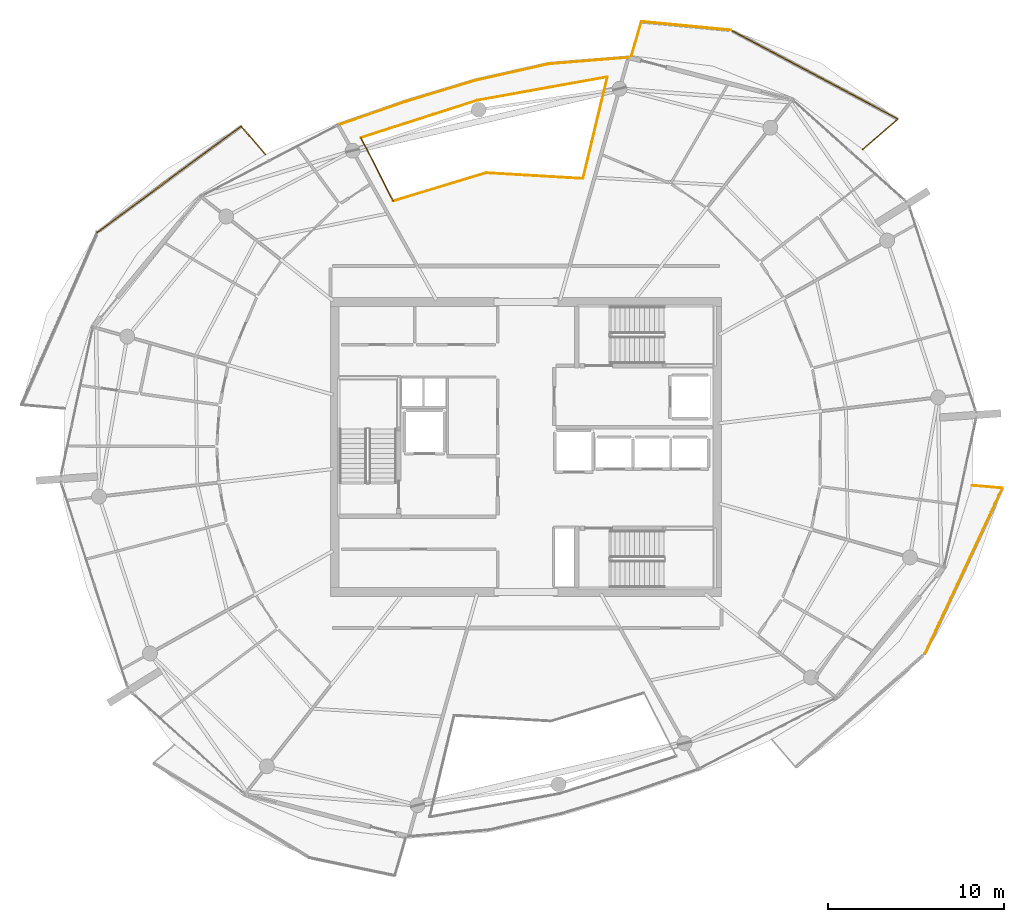
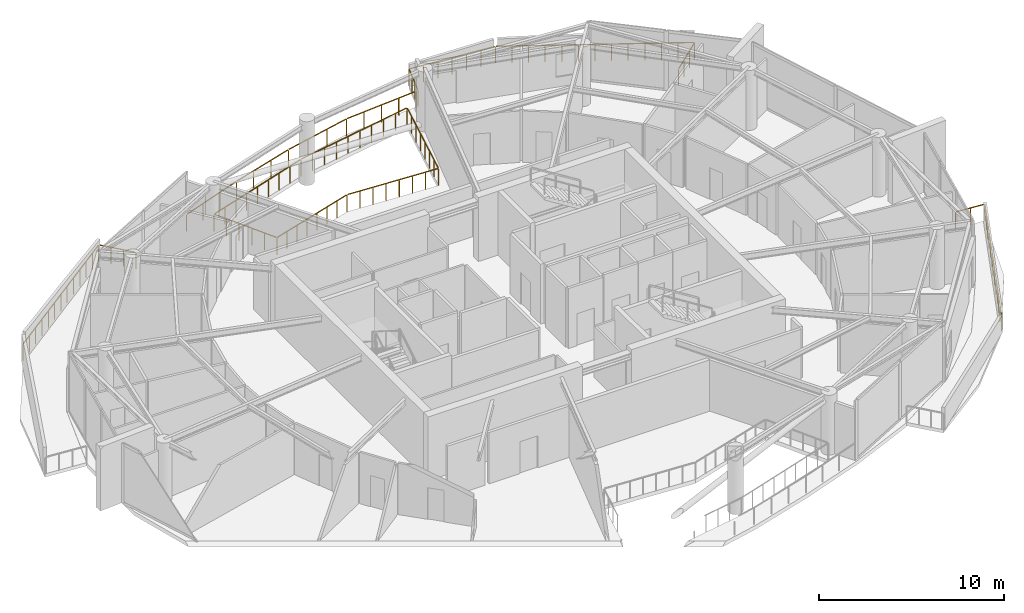
# One storey, part 22 of 22: 15 railings.
"""IFC4 building model written with IfcOpenShell, lengths in metres."""

from ifc_helpers import new_model, si_unit, direction, frame, origin, origin_2d, place, context, subcontext, project, spatial, rectangle, extrude, material, type_object, element, save


model = new_model("IFC4")

# Units and contexts
model_context = context("Model", 3, precision=1e-05, world=origin(), true_north=direction((0.0, 1.0)))
body_context = subcontext(model_context, "Body", "Model", "MODEL_VIEW")
ifc_project = project(units=[si_unit("LENGTHUNIT", "METRE"), si_unit("AREAUNIT", "SQUARE_METRE"), si_unit("VOLUMEUNIT", "CUBIC_METRE"), si_unit("PLANEANGLEUNIT", "RADIAN"), si_unit("MASSUNIT", "GRAM", prefix="KILO")], contexts=[model_context])

# Site, building, storey
site_placement = place(None, origin())
site = spatial("IfcSite", under=ifc_project, at=site_placement, CompositionType="ELEMENT")
building_placement = place(site_placement, origin())
building = spatial("IfcBuilding", under=site, at=building_placement, Name="Kazma Halo Residences", CompositionType="ELEMENT")
storey_placement = place(building_placement, frame((0.0, 0.0, 326.300048828125)))
storey = spatial("IfcBuildingStorey", under=building, at=storey_placement, Name="L82", CompositionType="ELEMENT", Elevation=326.300048828125)

# Railings
ifc_material_1 = material(Name="Aluminium AW-6063 T6 Brushed Cap Rail", Category="aluminium")
railing_type_1 = type_object("IfcRailingType", Name="RLG-BAL-CAP-1120", PredefinedType="BALUSTRADE", material=ifc_material_1)
railing_1_placement = place(storey_placement, frame((67.578369140625, 58.929443359375, 0.0)))
element("IfcRailing", 1, at=railing_1_placement, inside=storey, type_object=railing_type_1, Name="L82 NE wave balcony guard 1", PredefinedType="BALUSTRADE", context=body_context, shape_type="SweptSolid", body=[
    extrude(rectangle(XDim=0.050048828125, YDim=0.050048828125, at=origin_2d()), frame((0.0322265625, 0.02783203125, 1.09521484375), z_axis=(0.75640030808, 0.654108992399, 0.0), x_axis=(-0.654108992399, 0.75640030808, 0.0)), (0.0, 0.0, 1.0), 2.55224609375),
    extrude(rectangle(XDim=0.0400390625, YDim=0.0400390625, at=origin_2d()), origin(), (0.0, 0.0, 1.0), 1.05810546875),
    extrude(rectangle(XDim=0.0400390625, YDim=0.0400390625, at=origin_2d()), frame((0.6650390625, 0.574951171875, 0.0)), (0.0, 0.0, 1.0), 1.05810546875),
    extrude(rectangle(XDim=0.0400390625, YDim=0.0400390625, at=origin_2d()), frame((1.329833984375, 1.150146484375, 0.0)), (0.0, 0.0, 1.0), 1.05810546875),
    extrude(rectangle(XDim=0.0400390625, YDim=0.0400390625, at=origin_2d()), frame((1.994873046875, 1.72509765625, 0.0)), (0.0, 0.0, 1.0), 1.05810546875),
])
railing_2_placement = place(storey_placement, frame((69.5732421875, 60.654541015625, 0.0)))
element("IfcRailing", 2, at=railing_2_placement, inside=storey, type_object=railing_type_1, Name="L82 NE wave balcony guard 2", PredefinedType="BALUSTRADE", context=body_context, shape_type="SweptSolid", body=[
    extrude(rectangle(XDim=0.050048828125, YDim=0.050048828125, at=origin_2d()), frame((-0.03759765625, 0.02001953125, 1.09521484375), z_axis=(-0.882559597767, 0.470200549116, 0.0), x_axis=(-0.470200549116, -0.882559597767, 0.0)), (0.0, 0.0, 1.0), 10.669677734375),
    extrude(rectangle(XDim=0.0400390625, YDim=0.0400390625, at=origin_2d()), origin(), (0.0, 0.0, 1.0), 1.05810546875),
    extrude(rectangle(XDim=0.0400390625, YDim=0.0400390625, at=origin_2d()), frame((-0.791015625, 0.42138671875, 0.0)), (0.0, 0.0, 1.0), 1.05810546875),
    extrude(rectangle(XDim=0.0400390625, YDim=0.0400390625, at=origin_2d()), frame((-1.58203125, 0.8427734375, 0.0)), (0.0, 0.0, 1.0), 1.05810546875),
    extrude(rectangle(XDim=0.0400390625, YDim=0.0400390625, at=origin_2d()), frame((-2.373046875, 1.26416015625, 0.0)), (0.0, 0.0, 1.0), 1.05810546875),
    extrude(rectangle(XDim=0.0400390625, YDim=0.0400390625, at=origin_2d()), frame((-3.163818359375, 1.685546875, 0.0)), (0.0, 0.0, 1.0), 1.05810546875),
    extrude(rectangle(XDim=0.0400390625, YDim=0.0400390625, at=origin_2d()), frame((-3.954833984375, 2.10693359375, 0.0)), (0.0, 0.0, 1.0), 1.05810546875),
    extrude(rectangle(XDim=0.0400390625, YDim=0.0400390625, at=origin_2d()), frame((-4.745849609375, 2.5283203125, 0.0)), (0.0, 0.0, 1.0), 1.05810546875),
    extrude(rectangle(XDim=0.0400390625, YDim=0.0400390625, at=origin_2d()), frame((-5.536865234375, 2.949951171875, 0.0)), (0.0, 0.0, 1.0), 1.05810546875),
    extrude(rectangle(XDim=0.0400390625, YDim=0.0400390625, at=origin_2d()), frame((-6.327880859375, 3.371337890625, 0.0)), (0.0, 0.0, 1.0), 1.05810546875),
    extrude(rectangle(XDim=0.0400390625, YDim=0.0400390625, at=origin_2d()), frame((-7.11865234375, 3.792724609375, 0.0)), (0.0, 0.0, 1.0), 1.05810546875),
    extrude(rectangle(XDim=0.0400390625, YDim=0.0400390625, at=origin_2d()), frame((-7.90966796875, 4.214111328125, 0.0)), (0.0, 0.0, 1.0), 1.05810546875),
    extrude(rectangle(XDim=0.0400390625, YDim=0.0400390625, at=origin_2d()), frame((-8.70068359375, 4.635498046875, 0.0)), (0.0, 0.0, 1.0), 1.05810546875),
    extrude(rectangle(XDim=0.0400390625, YDim=0.0400390625, at=origin_2d()), frame((-9.49169921875, 5.056884765625, 0.0)), (0.0, 0.0, 1.0), 1.05810546875),
])
railing_3_placement = place(storey_placement, frame((60.08154296875, 65.71142578125, 0.0)))
element("IfcRailing", 3, at=railing_3_placement, inside=storey, type_object=railing_type_1, Name="L82 NE wave balcony guard 3", PredefinedType="BALUSTRADE", context=body_context, shape_type="SweptSolid", body=[
    extrude(rectangle(XDim=0.050048828125, YDim=0.050048828125, at=origin_2d()), frame((-0.042236328125, 0.00390625, 1.09521484375), z_axis=(-0.995511529445, 0.094640344155, 0.0), x_axis=(-0.094640344155, -0.995511529445, 0.0)), (0.0, 0.0, 1.0), 5.03564453125),
    extrude(rectangle(XDim=0.0400390625, YDim=0.0400390625, at=origin_2d()), origin(), (0.0, 0.0, 1.0), 1.05810546875),
    extrude(rectangle(XDim=0.0400390625, YDim=0.0400390625, at=origin_2d()), frame((-0.849609375, 0.080810546875, 0.0)), (0.0, 0.0, 1.0), 1.05810546875),
    extrude(rectangle(XDim=0.0400390625, YDim=0.0400390625, at=origin_2d()), frame((-1.69921875, 0.16162109375, 0.0)), (0.0, 0.0, 1.0), 1.05810546875),
    extrude(rectangle(XDim=0.0400390625, YDim=0.0400390625, at=origin_2d()), frame((-2.548828125, 0.2421875, 0.0)), (0.0, 0.0, 1.0), 1.05810546875),
    extrude(rectangle(XDim=0.0400390625, YDim=0.0400390625, at=origin_2d()), frame((-3.3984375, 0.322998046875, 0.0)), (0.0, 0.0, 1.0), 1.05810546875),
    extrude(rectangle(XDim=0.0400390625, YDim=0.0400390625, at=origin_2d()), frame((-4.248046875, 0.40380859375, 0.0)), (0.0, 0.0, 1.0), 1.05810546875),
    extrude(rectangle(XDim=0.0400390625, YDim=0.0400390625, at=origin_2d()), frame((-5.09765625, 0.484619140625, 0.0)), (0.0, 0.0, 1.0), 1.05810546875),
])
railing_4_placement = place(storey_placement, frame((54.98388671875, 66.196044921875, 0.0)))
element("IfcRailing", 4, at=railing_4_placement, inside=storey, type_object=railing_type_1, Name="L82 NE wave balcony guard 4", PredefinedType="BALUSTRADE", context=body_context, shape_type="SweptSolid", body=[
    extrude(rectangle(XDim=0.050048828125, YDim=0.050048828125, at=origin_2d()), frame((-0.01171875, -0.040771484375, 1.09521484375), z_axis=(-0.277336492849, -0.960772850227, 0.0), x_axis=(0.960772850227, -0.277336492849, 0.0)), (0.0, 0.0, 1.0), 1.93603515625),
    extrude(rectangle(XDim=0.0400390625, YDim=0.0400390625, at=origin_2d()), origin(), (0.0, 0.0, 1.0), 1.05810546875),
    extrude(rectangle(XDim=0.0400390625, YDim=0.0400390625, at=origin_2d()), frame((-0.186767578125, -0.647216796875, 0.0)), (0.0, 0.0, 1.0), 1.05810546875),
    extrude(rectangle(XDim=0.0400390625, YDim=0.0400390625, at=origin_2d()), frame((-0.373779296875, -1.294677734375, 0.0)), (0.0, 0.0, 1.0), 1.05810546875),
    extrude(rectangle(XDim=0.0400390625, YDim=0.0400390625, at=origin_2d()), frame((-0.560546875, -1.94189453125, 0.0)), (0.0, 0.0, 1.0), 1.05810546875),
])
railing_5_placement = place(storey_placement, frame((33.61181640625, 58.639404296875, 0.0)))
element("IfcRailing", 5, at=railing_5_placement, inside=storey, type_object=railing_type_1, Name="L82 NW wave balcony guard 1", PredefinedType="BALUSTRADE", context=body_context, shape_type="SweptSolid", body=[
    extrude(rectangle(XDim=0.050048828125, YDim=0.050048828125, at=origin_2d()), frame((-0.02783203125, 0.0322265625, 1.09521484375), z_axis=(-0.65406994082, 0.756434076781, 0.0), x_axis=(-0.756434076781, -0.65406994082, 0.0)), (0.0, 0.0, 1.0), 2.03271484375),
    extrude(rectangle(XDim=0.0400390625, YDim=0.0400390625, at=origin_2d()), origin(), (0.0, 0.0, 1.0), 1.05810546875),
    extrude(rectangle(XDim=0.0400390625, YDim=0.0400390625, at=origin_2d()), frame((-0.461669921875, 0.533935546875, 0.0)), (0.0, 0.0, 1.0), 1.05810546875),
    extrude(rectangle(XDim=0.0400390625, YDim=0.0400390625, at=origin_2d()), frame((-0.923583984375, 1.068115234375, 0.0)), (0.0, 0.0, 1.0), 1.05810546875),
    extrude(rectangle(XDim=0.0400390625, YDim=0.0400390625, at=origin_2d()), frame((-1.38525390625, 1.60205078125, 0.0)), (0.0, 0.0, 1.0), 1.05810546875),
])
railing_6_placement = place(storey_placement, frame((32.2265625, 60.241455078125, 0.0)))
element("IfcRailing", 6, at=railing_6_placement, inside=storey, type_object=railing_type_1, Name="L82 NW wave balcony guard 2", PredefinedType="BALUSTRADE", context=body_context, shape_type="SweptSolid", body=[
    extrude(rectangle(XDim=0.050048828125, YDim=0.050048828125, at=origin_2d()), frame((-0.0341796875, -0.025146484375, 1.09521484375), z_axis=(-0.805140901308, -0.593083576775, 0.0), x_axis=(0.593083576775, -0.805140901308, 0.0)), (0.0, 0.0, 1.0), 10.08544921875),
    extrude(rectangle(XDim=0.0400390625, YDim=0.0400390625, at=origin_2d()), origin(), (0.0, 0.0, 1.0), 1.05810546875),
    extrude(rectangle(XDim=0.0400390625, YDim=0.0400390625, at=origin_2d()), frame((-0.682373046875, -0.502685546875, 0.0)), (0.0, 0.0, 1.0), 1.05810546875),
    extrude(rectangle(XDim=0.0400390625, YDim=0.0400390625, at=origin_2d()), frame((-1.36474609375, -1.00537109375, 0.0)), (0.0, 0.0, 1.0), 1.05810546875),
    extrude(rectangle(XDim=0.0400390625, YDim=0.0400390625, at=origin_2d()), frame((-2.047119140625, -1.508056640625, 0.0)), (0.0, 0.0, 1.0), 1.05810546875),
    extrude(rectangle(XDim=0.0400390625, YDim=0.0400390625, at=origin_2d()), frame((-2.7294921875, -2.0107421875, 0.0)), (0.0, 0.0, 1.0), 1.05810546875),
    extrude(rectangle(XDim=0.0400390625, YDim=0.0400390625, at=origin_2d()), frame((-3.411865234375, -2.513427734375, 0.0)), (0.0, 0.0, 1.0), 1.05810546875),
    extrude(rectangle(XDim=0.0400390625, YDim=0.0400390625, at=origin_2d()), frame((-4.09423828125, -3.01611328125, 0.0)), (0.0, 0.0, 1.0), 1.05810546875),
    extrude(rectangle(XDim=0.0400390625, YDim=0.0400390625, at=origin_2d()), frame((-4.77685546875, -3.5185546875, 0.0)), (0.0, 0.0, 1.0), 1.05810546875),
    extrude(rectangle(XDim=0.0400390625, YDim=0.0400390625, at=origin_2d()), frame((-5.459228515625, -4.021240234375, 0.0)), (0.0, 0.0, 1.0), 1.05810546875),
    extrude(rectangle(XDim=0.0400390625, YDim=0.0400390625, at=origin_2d()), frame((-6.1416015625, -4.52392578125, 0.0)), (0.0, 0.0, 1.0), 1.05810546875),
    extrude(rectangle(XDim=0.0400390625, YDim=0.0400390625, at=origin_2d()), frame((-6.823974609375, -5.026611328125, 0.0)), (0.0, 0.0, 1.0), 1.05810546875),
    extrude(rectangle(XDim=0.0400390625, YDim=0.0400390625, at=origin_2d()), frame((-7.50634765625, -5.529296875, 0.0)), (0.0, 0.0, 1.0), 1.05810546875),
    extrude(rectangle(XDim=0.0400390625, YDim=0.0400390625, at=origin_2d()), frame((-8.188720703125, -6.031982421875, 0.0)), (0.0, 0.0, 1.0), 1.05810546875),
])
railing_7_placement = place(storey_placement, frame((71.106201171875, 30.226806640625, 0.0)))
element("IfcRailing", 7, at=railing_7_placement, inside=storey, type_object=railing_type_1, Name="L82 SE wave balcony guard 3", PredefinedType="BALUSTRADE", context=body_context, shape_type="SweptSolid", body=[
    extrude(rectangle(XDim=0.050048828125, YDim=0.050048828125, at=origin_2d()), frame((0.01806640625, 0.03857421875, 1.09521484375), z_axis=(0.424184177174, 0.905575940402, 0.0), x_axis=(-0.905575940402, 0.424184177174, 0.0)), (0.0, 0.0, 1.0), 10.33642578125),
    extrude(rectangle(XDim=0.0400390625, YDim=0.0400390625, at=origin_2d()), origin(), (0.0, 0.0, 1.0), 1.05810546875),
    extrude(rectangle(XDim=0.0400390625, YDim=0.0400390625, at=origin_2d()), frame((0.368408203125, 0.786376953125, 0.0)), (0.0, 0.0, 1.0), 1.05810546875),
    extrude(rectangle(XDim=0.0400390625, YDim=0.0400390625, at=origin_2d()), frame((0.73681640625, 1.572998046875, 0.0)), (0.0, 0.0, 1.0), 1.05810546875),
    extrude(rectangle(XDim=0.0400390625, YDim=0.0400390625, at=origin_2d()), frame((1.105224609375, 2.359375, 0.0)), (0.0, 0.0, 1.0), 1.05810546875),
    extrude(rectangle(XDim=0.0400390625, YDim=0.0400390625, at=origin_2d()), frame((1.4736328125, 3.145751953125, 0.0)), (0.0, 0.0, 1.0), 1.05810546875),
    extrude(rectangle(XDim=0.0400390625, YDim=0.0400390625, at=origin_2d()), frame((1.842041015625, 3.932373046875, 0.0)), (0.0, 0.0, 1.0), 1.05810546875),
    extrude(rectangle(XDim=0.0400390625, YDim=0.0400390625, at=origin_2d()), frame((2.21044921875, 4.71875, 0.0)), (0.0, 0.0, 1.0), 1.05810546875),
    extrude(rectangle(XDim=0.0400390625, YDim=0.0400390625, at=origin_2d()), frame((2.57861328125, 5.505126953125, 0.0)), (0.0, 0.0, 1.0), 1.05810546875),
    extrude(rectangle(XDim=0.0400390625, YDim=0.0400390625, at=origin_2d()), frame((2.947021484375, 6.291748046875, 0.0)), (0.0, 0.0, 1.0), 1.05810546875),
    extrude(rectangle(XDim=0.0400390625, YDim=0.0400390625, at=origin_2d()), frame((3.3154296875, 7.078125, 0.0)), (0.0, 0.0, 1.0), 1.05810546875),
    extrude(rectangle(XDim=0.0400390625, YDim=0.0400390625, at=origin_2d()), frame((3.683837890625, 7.864501953125, 0.0)), (0.0, 0.0, 1.0), 1.05810546875),
    extrude(rectangle(XDim=0.0400390625, YDim=0.0400390625, at=origin_2d()), frame((4.05224609375, 8.651123046875, 0.0)), (0.0, 0.0, 1.0), 1.05810546875),
    extrude(rectangle(XDim=0.0400390625, YDim=0.0400390625, at=origin_2d()), frame((4.420654296875, 9.4375, 0.0)), (0.0, 0.0, 1.0), 1.05810546875),
])
railing_8_placement = place(storey_placement, frame((75.52685546875, 39.664306640625, 0.0)))
element("IfcRailing", 8, at=railing_8_placement, inside=storey, type_object=railing_type_1, Name="L82 SE wave balcony guard 4", PredefinedType="BALUSTRADE", context=body_context, shape_type="SweptSolid", body=[
    extrude(rectangle(XDim=0.050048828125, YDim=0.050048828125, at=origin_2d()), frame((-0.04248046875, 0.003662109375, 1.09521484375), z_axis=(-0.996415109322, 0.08459864015, 0.0), x_axis=(-0.08459864015, -0.996415109322, 0.0)), (0.0, 0.0, 1.0), 1.657958984375),
    extrude(rectangle(XDim=0.0400390625, YDim=0.0400390625, at=origin_2d()), origin(), (0.0, 0.0, 1.0), 1.05810546875),
    extrude(rectangle(XDim=0.0400390625, YDim=0.0400390625, at=origin_2d()), frame((-0.868408203125, 0.07373046875, 0.0)), (0.0, 0.0, 1.0), 1.05810546875),
    extrude(rectangle(XDim=0.0400390625, YDim=0.0400390625, at=origin_2d()), frame((-1.73681640625, 0.1474609375, 0.0)), (0.0, 0.0, 1.0), 1.05810546875),
])
ifc_material_2 = material(Name="Brushed Stainless Steel and Laminated Glass", Category="steel")
railing_type_2 = type_object("IfcRailingType", Name="RLG-EXT-GUARD-1150", PredefinedType="GUARDRAIL", material=ifc_material_2)
railing_9_placement = place(storey_placement, frame((51.6650390625, 57.26611328125, 0.0)))
element("IfcRailing", 9, at=railing_9_placement, inside=storey, type_object=railing_type_2, Name="L82 upper wind-portal edge guard 1.1", PredefinedType="GUARDRAIL", context=body_context, shape_type="SweptSolid", body=[
    extrude(rectangle(XDim=0.050048828125, YDim=0.050048828125, at=origin_2d()), frame((-0.04248046875, 0.00244140625, 1.125), z_axis=(-0.998263068552, 0.058913886013, 0.0), x_axis=(-0.058913886013, -0.998263068552, 0.0)), (0.0, 0.0, 1.0), 5.434814453125),
    extrude(rectangle(XDim=0.0400390625, YDim=0.0400390625, at=origin_2d()), origin(), (0.0, 0.0, 1.0), 1.087890625),
    extrude(rectangle(XDim=0.0400390625, YDim=0.0400390625, at=origin_2d()), frame((-0.787109375, 0.04638671875, 0.0)), (0.0, 0.0, 1.0), 1.087890625),
    extrude(rectangle(XDim=0.0400390625, YDim=0.0400390625, at=origin_2d()), frame((-1.574462890625, 0.093017578125, 0.0)), (0.0, 0.0, 1.0), 1.087890625),
    extrude(rectangle(XDim=0.0400390625, YDim=0.0400390625, at=origin_2d()), frame((-2.361572265625, 0.139404296875, 0.0)), (0.0, 0.0, 1.0), 1.087890625),
    extrude(rectangle(XDim=0.0400390625, YDim=0.0400390625, at=origin_2d()), frame((-3.148681640625, 0.185791015625, 0.0)), (0.0, 0.0, 1.0), 1.087890625),
    extrude(rectangle(XDim=0.0400390625, YDim=0.0400390625, at=origin_2d()), frame((-3.935791015625, 0.232177734375, 0.0)), (0.0, 0.0, 1.0), 1.087890625),
    extrude(rectangle(XDim=0.0400390625, YDim=0.0400390625, at=origin_2d()), frame((-4.72314453125, 0.27880859375, 0.0)), (0.0, 0.0, 1.0), 1.087890625),
    extrude(rectangle(XDim=0.0400390625, YDim=0.0400390625, at=origin_2d()), frame((-5.51025390625, 0.3251953125, 0.0)), (0.0, 0.0, 1.0), 1.087890625),
])
railing_10_placement = place(storey_placement, frame((46.15478515625, 57.59130859375, 0.0)))
element("IfcRailing", 10, at=railing_10_placement, inside=storey, type_object=railing_type_2, Name="L82 upper wind-portal edge guard 1.2", PredefinedType="GUARDRAIL", context=body_context, shape_type="SweptSolid", body=[
    extrude(rectangle(XDim=0.050048828125, YDim=0.050048828125, at=origin_2d()), frame((-0.040771484375, -0.012451171875, 1.125), z_axis=(-0.956934342561, -0.290304433358, 0.0), x_axis=(0.290304433358, -0.956934342561, 0.0)), (0.0, 0.0, 1.0), 5.43505859375),
    extrude(rectangle(XDim=0.0400390625, YDim=0.0400390625, at=origin_2d()), origin(), (0.0, 0.0, 1.0), 1.087890625),
    extrude(rectangle(XDim=0.0400390625, YDim=0.0400390625, at=origin_2d()), frame((-0.754638671875, -0.22900390625, 0.0)), (0.0, 0.0, 1.0), 1.087890625),
    extrude(rectangle(XDim=0.0400390625, YDim=0.0400390625, at=origin_2d()), frame((-1.50927734375, -0.457763671875, 0.0)), (0.0, 0.0, 1.0), 1.087890625),
    extrude(rectangle(XDim=0.0400390625, YDim=0.0400390625, at=origin_2d()), frame((-2.263916015625, -0.686767578125, 0.0)), (0.0, 0.0, 1.0), 1.087890625),
    extrude(rectangle(XDim=0.0400390625, YDim=0.0400390625, at=origin_2d()), frame((-3.0185546875, -0.915771484375, 0.0)), (0.0, 0.0, 1.0), 1.087890625),
    extrude(rectangle(XDim=0.0400390625, YDim=0.0400390625, at=origin_2d()), frame((-3.773193359375, -1.144775390625, 0.0)), (0.0, 0.0, 1.0), 1.087890625),
    extrude(rectangle(XDim=0.0400390625, YDim=0.0400390625, at=origin_2d()), frame((-4.52783203125, -1.37353515625, 0.0)), (0.0, 0.0, 1.0), 1.087890625),
    extrude(rectangle(XDim=0.0400390625, YDim=0.0400390625, at=origin_2d()), frame((-5.282470703125, -1.6025390625, 0.0)), (0.0, 0.0, 1.0), 1.087890625),
])
railing_11_placement = place(storey_placement, frame((40.872314453125, 55.98876953125, 0.0)))
element("IfcRailing", 11, at=railing_11_placement, inside=storey, type_object=railing_type_2, Name="L82 upper wind-portal edge guard 1.3", PredefinedType="GUARDRAIL", context=body_context, shape_type="SweptSolid", body=[
    extrude(rectangle(XDim=0.050048828125, YDim=0.050048828125, at=origin_2d()), frame((-0.019287109375, 0.037841796875, 1.125), z_axis=(-0.453986372723, 0.891008626996, 0.0), x_axis=(-0.891008626996, -0.453986372723, 0.0)), (0.0, 0.0, 1.0), 3.958984375),
    extrude(rectangle(XDim=0.0400390625, YDim=0.0400390625, at=origin_2d()), origin(), (0.0, 0.0, 1.0), 1.087890625),
    extrude(rectangle(XDim=0.0400390625, YDim=0.0400390625, at=origin_2d()), frame((-0.3671875, 0.720703125, 0.0)), (0.0, 0.0, 1.0), 1.087890625),
    extrude(rectangle(XDim=0.0400390625, YDim=0.0400390625, at=origin_2d()), frame((-0.734375, 1.44140625, 0.0)), (0.0, 0.0, 1.0), 1.087890625),
    extrude(rectangle(XDim=0.0400390625, YDim=0.0400390625, at=origin_2d()), frame((-1.1015625, 2.161865234375, 0.0)), (0.0, 0.0, 1.0), 1.087890625),
    extrude(rectangle(XDim=0.0400390625, YDim=0.0400390625, at=origin_2d()), frame((-1.46875, 2.882568359375, 0.0)), (0.0, 0.0, 1.0), 1.087890625),
    extrude(rectangle(XDim=0.0400390625, YDim=0.0400390625, at=origin_2d()), frame((-1.8359375, 3.603271484375, 0.0)), (0.0, 0.0, 1.0), 1.087890625),
])
railing_12_placement = place(storey_placement, frame((39.036376953125, 59.592041015625, 0.0)))
element("IfcRailing", 12, at=railing_12_placement, inside=storey, type_object=railing_type_2, Name="L82 upper wind-portal edge guard 1.4", PredefinedType="GUARDRAIL", context=body_context, shape_type="SweptSolid", body=[
    extrude(rectangle(XDim=0.050048828125, YDim=0.050048828125, at=origin_2d()), frame((0.04052734375, 0.012939453125, 1.125), z_axis=(0.952165276882, 0.305583516407, 0.0), x_axis=(-0.305583516407, 0.952165276882, 0.0)), (0.0, 0.0, 1.0), 6.877685546875),
    extrude(rectangle(XDim=0.0400390625, YDim=0.0400390625, at=origin_2d()), origin(), (0.0, 0.0, 1.0), 1.087890625),
    extrude(rectangle(XDim=0.0400390625, YDim=0.0400390625, at=origin_2d()), frame((0.82861328125, 0.265869140625, 0.0)), (0.0, 0.0, 1.0), 1.087890625),
    extrude(rectangle(XDim=0.0400390625, YDim=0.0400390625, at=origin_2d()), frame((1.657470703125, 0.531982421875, 0.0)), (0.0, 0.0, 1.0), 1.087890625),
    extrude(rectangle(XDim=0.0400390625, YDim=0.0400390625, at=origin_2d()), frame((2.486083984375, 0.7978515625, 0.0)), (0.0, 0.0, 1.0), 1.087890625),
    extrude(rectangle(XDim=0.0400390625, YDim=0.0400390625, at=origin_2d()), frame((3.31494140625, 1.06396484375, 0.0)), (0.0, 0.0, 1.0), 1.087890625),
    extrude(rectangle(XDim=0.0400390625, YDim=0.0400390625, at=origin_2d()), frame((4.1435546875, 1.329833984375, 0.0)), (0.0, 0.0, 1.0), 1.087890625),
    extrude(rectangle(XDim=0.0400390625, YDim=0.0400390625, at=origin_2d()), frame((4.97216796875, 1.595703125, 0.0)), (0.0, 0.0, 1.0), 1.087890625),
    extrude(rectangle(XDim=0.0400390625, YDim=0.0400390625, at=origin_2d()), frame((5.801025390625, 1.86181640625, 0.0)), (0.0, 0.0, 1.0), 1.087890625),
    extrude(rectangle(XDim=0.0400390625, YDim=0.0400390625, at=origin_2d()), frame((6.629638671875, 2.127685546875, 0.0)), (0.0, 0.0, 1.0), 1.087890625),
])
railing_13_placement = place(storey_placement, frame((45.666015625, 61.7197265625, 0.0)))
element("IfcRailing", 13, at=railing_13_placement, inside=storey, type_object=railing_type_2, Name="L82 upper wind-portal edge guard 1.5", PredefinedType="GUARDRAIL", context=body_context, shape_type="SweptSolid", body=[
    extrude(rectangle(XDim=0.050048828125, YDim=0.050048828125, at=origin_2d()), frame((0.0419921875, 0.007568359375, 1.125), z_axis=(0.984235798799, 0.176861223455, 0.0), x_axis=(-0.176861223455, 0.984235798799, 0.0)), (0.0, 0.0, 1.0), 7.420166015625),
    extrude(rectangle(XDim=0.0400390625, YDim=0.0400390625, at=origin_2d()), origin(), (0.0, 0.0, 1.0), 1.087890625),
    extrude(rectangle(XDim=0.0400390625, YDim=0.0400390625, at=origin_2d()), frame((0.82080078125, 0.1474609375, 0.0)), (0.0, 0.0, 1.0), 1.087890625),
    extrude(rectangle(XDim=0.0400390625, YDim=0.0400390625, at=origin_2d()), frame((1.6416015625, 0.294921875, 0.0)), (0.0, 0.0, 1.0), 1.087890625),
    extrude(rectangle(XDim=0.0400390625, YDim=0.0400390625, at=origin_2d()), frame((2.46240234375, 0.4423828125, 0.0)), (0.0, 0.0, 1.0), 1.087890625),
    extrude(rectangle(XDim=0.0400390625, YDim=0.0400390625, at=origin_2d()), frame((3.283203125, 0.58984375, 0.0)), (0.0, 0.0, 1.0), 1.087890625),
    extrude(rectangle(XDim=0.0400390625, YDim=0.0400390625, at=origin_2d()), frame((4.103759765625, 0.737548828125, 0.0)), (0.0, 0.0, 1.0), 1.087890625),
    extrude(rectangle(XDim=0.0400390625, YDim=0.0400390625, at=origin_2d()), frame((4.924560546875, 0.885009765625, 0.0)), (0.0, 0.0, 1.0), 1.087890625),
    extrude(rectangle(XDim=0.0400390625, YDim=0.0400390625, at=origin_2d()), frame((5.745361328125, 1.032470703125, 0.0)), (0.0, 0.0, 1.0), 1.087890625),
    extrude(rectangle(XDim=0.0400390625, YDim=0.0400390625, at=origin_2d()), frame((6.566162109375, 1.179931640625, 0.0)), (0.0, 0.0, 1.0), 1.087890625),
    extrude(rectangle(XDim=0.0400390625, YDim=0.0400390625, at=origin_2d()), frame((7.386962890625, 1.327392578125, 0.0)), (0.0, 0.0, 1.0), 1.087890625),
])
railing_14_placement = place(storey_placement, frame((53.052978515625, 63.047119140625, 0.0)))
element("IfcRailing", 14, at=railing_14_placement, inside=storey, type_object=railing_type_2, Name="L82 upper wind-portal edge guard 1.6", PredefinedType="GUARDRAIL", context=body_context, shape_type="SweptSolid", body=[
    extrude(rectangle(XDim=0.050048828125, YDim=0.050048828125, at=origin_2d()), frame((-0.010009765625, -0.041259765625, 1.125), z_axis=(-0.233452160997, -0.972368288523, 0.0), x_axis=(0.972368288523, -0.233452160997, 0.0)), (0.0, 0.0, 1.0), 5.860107421875),
    extrude(rectangle(XDim=0.0400390625, YDim=0.0400390625, at=origin_2d()), origin(), (0.0, 0.0, 1.0), 1.087890625),
    extrude(rectangle(XDim=0.0400390625, YDim=0.0400390625, at=origin_2d()), frame((-0.1982421875, -0.825927734375, 0.0)), (0.0, 0.0, 1.0), 1.087890625),
    extrude(rectangle(XDim=0.0400390625, YDim=0.0400390625, at=origin_2d()), frame((-0.396484375, -1.651611328125, 0.0)), (0.0, 0.0, 1.0), 1.087890625),
    extrude(rectangle(XDim=0.0400390625, YDim=0.0400390625, at=origin_2d()), frame((-0.5947265625, -2.4775390625, 0.0)), (0.0, 0.0, 1.0), 1.087890625),
    extrude(rectangle(XDim=0.0400390625, YDim=0.0400390625, at=origin_2d()), frame((-0.793212890625, -3.303466796875, 0.0)), (0.0, 0.0, 1.0), 1.087890625),
    extrude(rectangle(XDim=0.0400390625, YDim=0.0400390625, at=origin_2d()), frame((-0.991455078125, -4.12939453125, 0.0)), (0.0, 0.0, 1.0), 1.087890625),
    extrude(rectangle(XDim=0.0400390625, YDim=0.0400390625, at=origin_2d()), frame((-1.189697265625, -4.955078125, 0.0)), (0.0, 0.0, 1.0), 1.087890625),
    extrude(rectangle(XDim=0.0400390625, YDim=0.0400390625, at=origin_2d()), frame((-1.387939453125, -5.781005859375, 0.0)), (0.0, 0.0, 1.0), 1.087890625),
])
railing_15_placement = place(storey_placement, frame((54.248046875, 64.15380859375, 0.0)))
element("IfcRailing", 15, at=railing_15_placement, inside=storey, type_object=railing_type_2, Name="L82 upper wind-portal outer rim guard 1", PredefinedType="GUARDRAIL", context=body_context, shape_type="SweptSolid", body=[
    extrude(rectangle(XDim=0.050048828125, YDim=0.050048828125, at=origin_2d()), frame((-0.04248046875, -0.00341796875, 1.125), z_axis=(-0.996709972845, -0.081050786741, 0.0), x_axis=(0.081050786741, -0.996709972845, 0.0)), (0.0, 0.0, 1.0), 4.46337890625),
    extrude(rectangle(XDim=0.050048828125, YDim=0.050048828125, at=origin_2d()), frame((-4.574951171875, -0.3779296875, 1.125), z_axis=(-0.975482432849, -0.220077311878, 0.0), x_axis=(0.220077311878, -0.975482432849, 0.0)), (0.0, 0.0, 1.0), 4.201416015625),
    extrude(rectangle(XDim=0.050048828125, YDim=0.050048828125, at=origin_2d()), frame((-8.755615234375, -1.32421875, 1.125), z_axis=(-0.957126127976, -0.289671495225, 0.0), x_axis=(0.289671495225, -0.957126127976, 0.0)), (0.0, 0.0, 1.0), 4.01025390625),
    extrude(rectangle(XDim=0.050048828125, YDim=0.050048828125, at=origin_2d()), frame((-12.6748046875, -2.51220703125, 1.125), z_axis=(-0.944594872531, -0.328238521184, 0.0), x_axis=(0.328238521184, -0.944594872531, 0.0)), (0.0, 0.0, 1.0), 4.01025390625),
    extrude(rectangle(XDim=0.0400390625, YDim=0.0400390625, at=origin_2d()), origin(), (0.0, 0.0, 1.0), 1.087890625),
    extrude(rectangle(XDim=0.0400390625, YDim=0.0400390625, at=origin_2d()), frame((-1.13330078125, -0.09228515625, 0.0)), (0.0, 0.0, 1.0), 1.087890625),
    extrude(rectangle(XDim=0.0400390625, YDim=0.0400390625, at=origin_2d()), frame((-2.2666015625, -0.184326171875, 0.0)), (0.0, 0.0, 1.0), 1.087890625),
    extrude(rectangle(XDim=0.0400390625, YDim=0.0400390625, at=origin_2d()), frame((-3.400146484375, -0.2763671875, 0.0)), (0.0, 0.0, 1.0), 1.087890625),
    extrude(rectangle(XDim=0.0400390625, YDim=0.0400390625, at=origin_2d()), frame((-4.533447265625, -0.36865234375, 0.0)), (0.0, 0.0, 1.0), 1.087890625),
    extrude(rectangle(XDim=0.0400390625, YDim=0.0400390625, at=origin_2d()), frame((-5.92724609375, -0.68310546875, 0.0)), (0.0, 0.0, 1.0), 1.087890625),
    extrude(rectangle(XDim=0.0400390625, YDim=0.0400390625, at=origin_2d()), frame((-7.321044921875, -0.99755859375, 0.0)), (0.0, 0.0, 1.0), 1.087890625),
    extrude(rectangle(XDim=0.0400390625, YDim=0.0400390625, at=origin_2d()), frame((-8.71484375, -1.31201171875, 0.0)), (0.0, 0.0, 1.0), 1.087890625),
    extrude(rectangle(XDim=0.0400390625, YDim=0.0400390625, at=origin_2d()), frame((-10.021484375, -1.70751953125, 0.0)), (0.0, 0.0, 1.0), 1.087890625),
    extrude(rectangle(XDim=0.0400390625, YDim=0.0400390625, at=origin_2d()), frame((-11.327880859375, -2.102783203125, 0.0)), (0.0, 0.0, 1.0), 1.087890625),
    extrude(rectangle(XDim=0.0400390625, YDim=0.0400390625, at=origin_2d()), frame((-12.634521484375, -2.498291015625, 0.0)), (0.0, 0.0, 1.0), 1.087890625),
    extrude(rectangle(XDim=0.0400390625, YDim=0.0400390625, at=origin_2d()), frame((-13.924072265625, -2.9462890625, 0.0)), (0.0, 0.0, 1.0), 1.087890625),
    extrude(rectangle(XDim=0.0400390625, YDim=0.0400390625, at=origin_2d()), frame((-15.21337890625, -3.39453125, 0.0)), (0.0, 0.0, 1.0), 1.087890625),
    extrude(rectangle(XDim=0.0400390625, YDim=0.0400390625, at=origin_2d()), frame((-16.5029296875, -3.842529296875, 0.0)), (0.0, 0.0, 1.0), 1.087890625),
])

save(model, "model.ifc")
